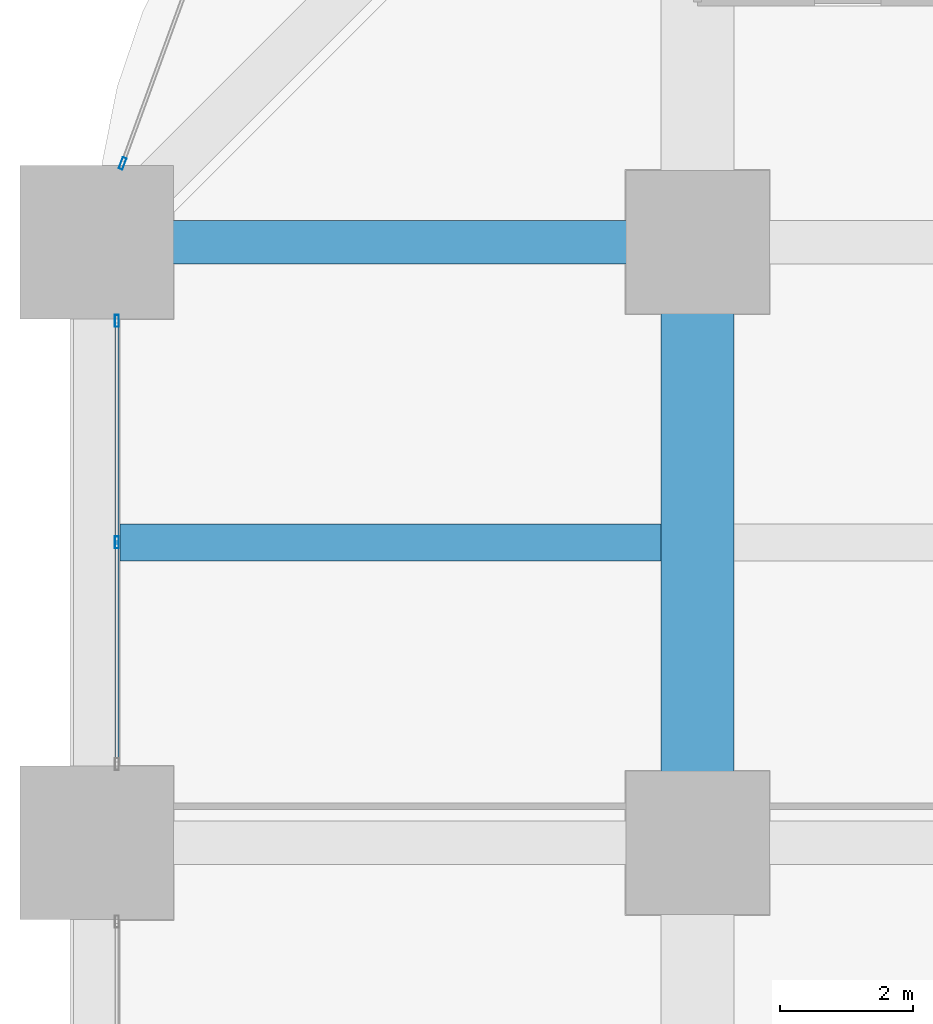
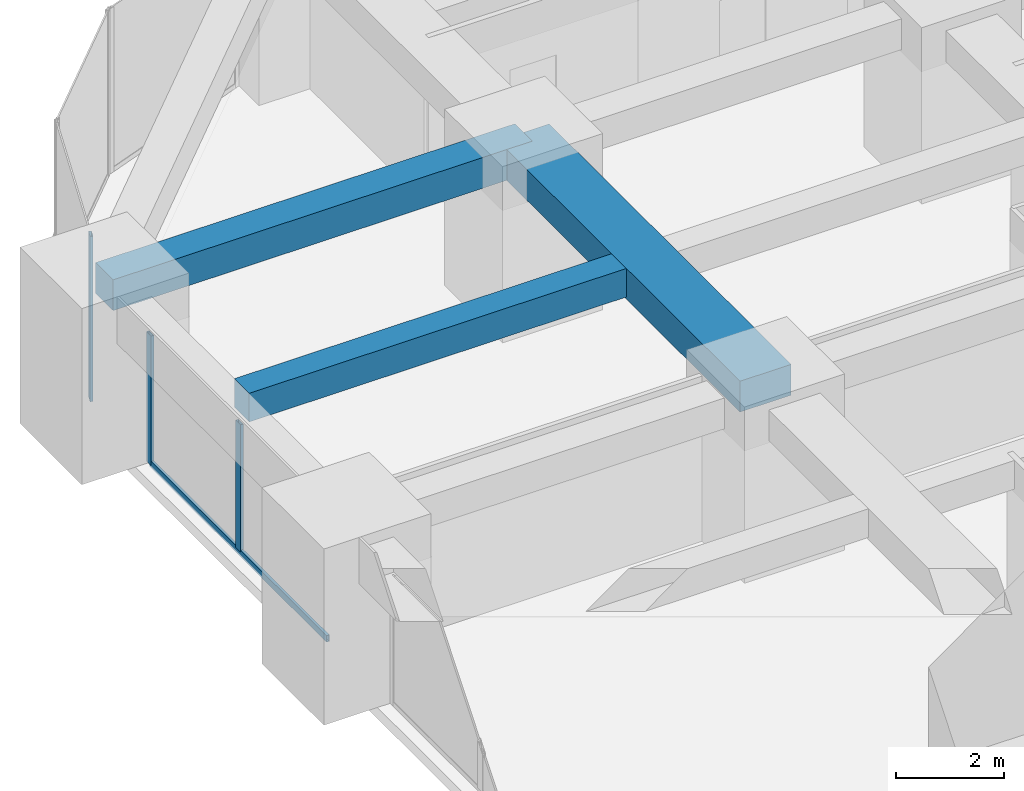
# One storey, part 25 of 44: 4 members, 3 beams, 2 elements without a shape of their own.
"""IFC4 building model written with IfcOpenShell, lengths in metres."""

import ifcopenshell
import ifcopenshell.guid

model = None  # the IFC model being written
_history = None  # IfcOwnerHistory: only IFC2X3 demands one
_inside = {}  # id of a spatial element -> (the spatial element, [elements in it])
_under = {}  # id of a project, library or spatial element -> (it, [spatial elements below it])
_declared = {}  # id of a project -> (the project, [libraries it declares])
_typed = {}  # id of a type object -> (the type object, [elements of that type])
_made_of = {}  # id of a material, layer set ... -> (it, [elements and type objects made of it])


def new_model(schema):
    """Start an empty IFC model of exactly this schema.

    Asked for "IFC4X3", IfcOpenShell would pick the latest addendum, in which some entities
    have other attributes; the version numbers below select the first issue.
    IFC2X3 requires an IfcOwnerHistory on every rooted entity: one is made here for all.
    """
    global model, _history
    if schema == "IFC4X3":
        model = ifcopenshell.file(schema_version=(4, 3, 0, 0))
    else:
        model = ifcopenshell.file(schema=schema)
    _inside.clear()
    _under.clear()
    _declared.clear()
    _typed.clear()
    _made_of.clear()
    _history = None
    if model.schema == "IFC2X3":
        org = make("IfcOrganization", Name="unknown")
        user = make(
            "IfcPersonAndOrganization",
            ThePerson=make("IfcPerson", FamilyName="unknown"),
            TheOrganization=org,
        )
        app = make(
            "IfcApplication",
            ApplicationDeveloper=org,
            Version="unknown",
            ApplicationFullName="unknown",
            ApplicationIdentifier="unknown",
        )
        _history = make(
            "IfcOwnerHistory",
            OwningUser=user,
            OwningApplication=app,
            ChangeAction="ADDED",
            CreationDate=0,
        )
    return model


def make(cls, **values):
    """One entity of the class cls with the attributes given. An attribute that is None is left unset."""
    return model.create_entity(
        cls, **{name: value for name, value in values.items() if value is not None}
    )


def rooted(cls, **values):
    """An entity with a GlobalId (a new one), such as an element, a storey or a relation."""
    return make(cls, GlobalId=ifcopenshell.guid.new(), OwnerHistory=_history, **values)


def si_unit(unit_type, name, prefix=None):
    """IfcSIUnit, for example si_unit("LENGTHUNIT", "METRE", prefix="MILLI")."""
    return make("IfcSIUnit", UnitType=unit_type, Prefix=prefix, Name=name)


def assignment(units):
    """IfcUnitAssignment: the units of a project."""
    return None if units is None else make("IfcUnitAssignment", Units=units)


def point(xyz):
    """IfcCartesianPoint."""
    return None if xyz is None else make("IfcCartesianPoint", Coordinates=xyz)


def direction(xyz):
    """IfcDirection."""
    return None if xyz is None else make("IfcDirection", DirectionRatios=xyz)


def frame(location, z_axis=None, x_axis=None):
    """IfcAxis2Placement3D, a coordinate frame: its origin and axes. An axis left out is left unset."""
    return make(
        "IfcAxis2Placement3D",
        Location=point(location),
        Axis=direction(z_axis),
        RefDirection=direction(x_axis),
    )


def frame_2d(location, x_axis=None):
    """IfcAxis2Placement2D, a coordinate frame in the plane: its origin and x axis."""
    return make(
        "IfcAxis2Placement2D", Location=point(location), RefDirection=direction(x_axis)
    )


def origin():
    """The frame at (0, 0, 0) with its axes left unset."""
    return frame((0.0, 0.0, 0.0))


def origin_2d():
    """The frame at (0, 0) in the plane with its x axis left unset."""
    return frame_2d((0.0, 0.0))


def place(relative_to, where):
    """IfcLocalPlacement: puts the frame where relative to a parent placement (None: the world)."""
    return make(
        "IfcLocalPlacement", PlacementRelTo=relative_to, RelativePlacement=where
    )


def context(
    kind, dimensions, precision=None, world=None, true_north=None, identifier=None
):
    """IfcGeometricRepresentationContext, for example the 3D "Model" context."""
    return make(
        "IfcGeometricRepresentationContext",
        ContextIdentifier=identifier,
        ContextType=kind,
        CoordinateSpaceDimension=dimensions,
        Precision=precision,
        WorldCoordinateSystem=world,
        TrueNorth=true_north,
    )


def subcontext(parent, identifier, kind, view, scale=None):
    """IfcGeometricRepresentationSubContext, for example "Body" below "Model"."""
    return make(
        "IfcGeometricRepresentationSubContext",
        ContextIdentifier=identifier,
        ContextType=kind,
        ParentContext=parent,
        TargetScale=scale,
        TargetView=view,
    )


def project(units=None, contexts=None):
    """IfcProject with its units and contexts."""
    return rooted(
        "IfcProject",
        Name="project",
        RepresentationContexts=contexts,
        UnitsInContext=assignment(units),
    )


def spatial(cls, under=None, at=None, **own):
    """A site, building, storey or space (cls), placed at a placement, below another one or the project."""
    s = rooted(cls, ObjectPlacement=at, **own)
    if under is not None:
        _under.setdefault(under.id(), (under, []))[1].append(s)
    return s


def profile(cls, at=None, kind="AREA", **sizes):
    """A parametric profile (cls). Its sizes go by their IFC names, for example OverallWidth=200.0."""
    return make(cls, ProfileType=kind, Position=at, **sizes)


def rectangle(**sizes):
    """IfcRectangleProfileDef."""
    return profile("IfcRectangleProfileDef", **sizes)


def hollow_rectangle(**sizes):
    """IfcRectangleHollowProfileDef."""
    return profile("IfcRectangleHollowProfileDef", **sizes)


def extrude(swept, where, along, depth):
    """IfcExtrudedAreaSolid: the profile swept, set in the frame where, extruded along a direction by depth."""
    return make(
        "IfcExtrudedAreaSolid",
        SweptArea=swept,
        Position=where,
        ExtrudedDirection=direction(along),
        Depth=depth,
    )


def shape(context_of_items, identifier, shape_type, items):
    """IfcShapeRepresentation: the items that make up one representation, for example the "Body"."""
    return make(
        "IfcShapeRepresentation",
        ContextOfItems=context_of_items,
        RepresentationIdentifier=identifier,
        RepresentationType=shape_type,
        Items=items,
    )


def material(Name=None, Category=None):
    """IfcMaterial."""
    return make("IfcMaterial", Name=Name, Category=Category)


def material_profile(
    of_material, cross_section, Name=None, Category=None, Priority=None
):
    """IfcMaterialProfile: a cross section and its material."""
    return make(
        "IfcMaterialProfile",
        Name=Name,
        Material=of_material,
        Profile=cross_section,
        Priority=Priority,
        Category=Category,
    )


def profile_set(profiles, Name=None, composite=None):
    """IfcMaterialProfileSet."""
    return make(
        "IfcMaterialProfileSet",
        Name=Name,
        MaterialProfiles=profiles,
        CompositeProfile=composite,
    )


def made_of(thing, what):
    """Note that an element or type object is made of a material, layer set ...; save() writes the relation."""
    if what is not None:
        _made_of.setdefault(what.id(), (what, []))[1].append(thing)
    return thing


def type_object(cls, material=None, **own):
    """A type object (cls), such as IfcWallType, which elements share."""
    return made_of(rooted(cls, **own), material)


def element(
    cls,
    number,
    at=None,
    inside=None,
    cuts=None,
    type_object=None,
    material=None,
    context=None,
    identifier="Body",
    shape_type=None,
    held_by="IfcProductDefinitionShape",
    body=None,
    shapes=None,
    **own,
):
    """One element of the class cls, such as IfcWall. Its Tag is "e" and its number.

    at: its placement. inside: the storey or other place that contains it. cuts: it is an
    opening in that element (IfcRelVoidsElement). A single representation is given by context,
    identifier, shape_type and body (its items); several are given by shapes. held_by: the class
    of the entity that holds the representations. save() writes the other relations.
    """
    e = rooted(cls, Tag="e%d" % number, ObjectPlacement=at, **own)
    if body is not None:
        shapes = [shape(context, identifier, shape_type, body)]
    if shapes is not None:
        e.Representation = make(held_by, Representations=shapes)
    if inside is not None:
        _inside.setdefault(inside.id(), (inside, []))[1].append(e)
    if cuts is not None:
        rooted(
            "IfcRelVoidsElement", RelatingBuildingElement=cuts, RelatedOpeningElement=e
        )
    if type_object is not None:
        _typed.setdefault(type_object.id(), (type_object, []))[1].append(e)
    return made_of(e, material)


def aggregate(whole, parts):
    """IfcRelAggregates: a whole, such as a stair, and the parts it consists of."""
    return rooted("IfcRelAggregates", RelatingObject=whole, RelatedObjects=parts)


def save(model, path):
    """Write the relations noted so far, then the file.

    IfcRelAggregates (storeys below a building ...), IfcRelContainedInSpatialStructure (elements
    in a storey), IfcRelDefinesByType, IfcRelAssociatesMaterial and IfcRelDeclares: one each for
    every whole, place, type object, material and project.
    """
    for whole, parts in _under.values():
        aggregate(whole, parts)
    for where, things in _inside.values():
        rooted(
            "IfcRelContainedInSpatialStructure",
            RelatedElements=things,
            RelatingStructure=where,
        )
    for kind, things in _typed.values():
        rooted("IfcRelDefinesByType", RelatedObjects=things, RelatingType=kind)
    for what, things in _made_of.values():
        rooted("IfcRelAssociatesMaterial", RelatedObjects=things, RelatingMaterial=what)
    for by, libraries in _declared.values():
        rooted("IfcRelDeclares", RelatingContext=by, RelatedDefinitions=libraries)
    model.write(path)


model = new_model("IFC4")

# Units and contexts
model_context = context("Model", 3, precision=1e-05, world=origin(), true_north=direction((0.0, 1.0)))
body_context = subcontext(model_context, "Body", "Model", "MODEL_VIEW")
ifc_project = project(units=[si_unit("LENGTHUNIT", "METRE"), si_unit("AREAUNIT", "SQUARE_METRE"), si_unit("VOLUMEUNIT", "CUBIC_METRE"), si_unit("PLANEANGLEUNIT", "RADIAN"), si_unit("MASSUNIT", "GRAM", prefix="KILO")], contexts=[model_context])

# Site, building, storey
site_placement = place(None, origin())
site = spatial("IfcSite", under=ifc_project, at=site_placement, CompositionType="ELEMENT")
building_placement = place(site_placement, origin())
building = spatial("IfcBuilding", under=site, at=building_placement, Name="Zorevar Civic Tower", CompositionType="ELEMENT")
storey_placement = place(building_placement, frame((0.0, 0.0, 51.800048828125)))
storey = spatial("IfcBuildingStorey", under=building, at=storey_placement, Name="L12", CompositionType="ELEMENT", Elevation=51.800048828125)

# Beams
ifc_material_1 = material(Name="Concrete C50/60", Category="concrete")
ifc_material_profile_1 = material_profile(ifc_material_1, rectangle(XDim=1.10009765625, YDim=0.699951171875, at=origin_2d()), Name="RC 1100x700")
ifc_profile_set_1 = profile_set([ifc_material_profile_1], Name="Concrete C50/60")
beam_type_1 = type_object("IfcBeamType", Name="Beam RC 1100x700", PredefinedType="BEAM", material=ifc_profile_set_1)
beam_1_placement = place(storey_placement, frame((9.0, 36.0, 3.39990234375), z_axis=(0.0, 1.0, 0.0), x_axis=(-1.0, 0.0, 0.0)))
element("IfcBeam", 1, at=beam_1_placement, inside=storey, type_object=beam_type_1, Name="Girder L13", PredefinedType="BEAM", context=body_context, shape_type="SweptSolid", body=[
    extrude(rectangle(XDim=1.10009765625, YDim=0.699951171875, at=origin_2d()), origin(), (0.0, 0.0, 1.0), 9.0),
])
ifc_material_2 = material(Name="Concrete C50/60", Category="concrete")
ifc_material_profile_2 = material_profile(ifc_material_2, rectangle(XDim=0.550048828125, YDim=0.64990234375, at=origin_2d()), Name="RC 550x650")
ifc_profile_set_2 = profile_set([ifc_material_profile_2], Name="Concrete C50/60")
beam_type_2 = type_object("IfcBeamType", Name="Beam RC 550x650", PredefinedType="BEAM", material=ifc_profile_set_2)
beam_2_placement = place(storey_placement, frame((0.35009765625, 40.5, 3.425048828125), z_axis=(1.0, 0.0, 0.0), x_axis=(0.0, 1.0, 0.0)))
element("IfcBeam", 2, at=beam_2_placement, inside=storey, type_object=beam_type_2, Name="Secondary beam L13", PredefinedType="BEAM", context=body_context, shape_type="SweptSolid", body=[
    extrude(rectangle(XDim=0.550048828125, YDim=0.64990234375, at=origin_2d()), origin(), (0.0, 0.0, 1.0), 8.099853515625),
])
ifc_material_3 = material(Name="Concrete C50/60", Category="concrete")
ifc_material_profile_3 = material_profile(ifc_material_3, rectangle(XDim=0.64990234375, YDim=0.699951171875, at=origin_2d()), Name="RC 650x700")
ifc_profile_set_3 = profile_set([ifc_material_profile_3], Name="Concrete C50/60")
beam_type_3 = type_object("IfcBeamType", Name="Beam RC 650x700", PredefinedType="BEAM", material=ifc_profile_set_3)
beam_3_placement = place(storey_placement, frame((0.0, 45.0, 3.39990234375), z_axis=(1.0, 0.0, 0.0), x_axis=(0.0, 1.0, 0.0)))
element("IfcBeam", 3, at=beam_3_placement, inside=storey, type_object=beam_type_3, Name="Girder L13", PredefinedType="BEAM", context=body_context, shape_type="SweptSolid", body=[
    extrude(rectangle(XDim=0.64990234375, YDim=0.699951171875, at=origin_2d()), origin(), (0.0, 0.0, 1.0), 9.0),
])

# Curtain wall, members
ifc_material_4 = material(Name="Dark grey solar-control glass in black aluminium frame", Category="aluminium")
curtain_wall_type = type_object("IfcCurtainWallType", Name="Curtain wall CW2 low zone", PredefinedType="NOTDEFINED", material=ifc_material_4)
curtain_wall_1_placement = place(storey_placement, origin())
curtain_wall_1 = element("IfcCurtainWall", 4, at=curtain_wall_1_placement, inside=storey, type_object=curtain_wall_type, Name="CW2 L12", PredefinedType="NOTDEFINED")
ifc_material_5 = material(Name="Aluminium, black anodised", Category="aluminium")
ifc_material_profile_4 = material_profile(ifc_material_5, hollow_rectangle(XDim=0.06005859375, YDim=0.179931640625, WallThickness=0.00390625, at=origin_2d()), Name="AL 180x60x4")
ifc_profile_set_4 = profile_set([ifc_material_profile_4], Name="Aluminium, black anodised")
member_type_1 = type_object("IfcMemberType", Name="CW2 mullion AL 180x60x4", PredefinedType="MULLION", material=ifc_profile_set_4)
member_1_placement = place(storey_placement, frame((0.300048828125, 40.5, 0.06005859375), z_axis=(0.0, 0.0, 1.0), x_axis=(-1.0, 0.0, 0.0)))
member_1 = element("IfcMember", 5, at=member_1_placement, type_object=member_type_1, Name="CW2 mullion 2", PredefinedType="MULLION", context=body_context, shape_type="SweptSolid", body=[
    extrude(hollow_rectangle(XDim=0.06005859375, YDim=0.179931640625, WallThickness=0.00390625, at=origin_2d()), origin(), (0.0, 0.0, 1.0), 2.889892578125),
])
member_2_placement = place(storey_placement, frame((0.300048828125, 43.820068359375, 0.0), z_axis=(0.0, 0.0, 1.0), x_axis=(-1.0, 0.0, 0.0)))
member_2 = element("IfcMember", 6, at=member_2_placement, type_object=member_type_1, Name="CW2 mullion 3", PredefinedType="MULLION", context=body_context, shape_type="SweptSolid", body=[
    extrude(hollow_rectangle(XDim=0.06005859375, YDim=0.179931640625, WallThickness=0.00390625, at=origin_2d()), origin(), (0.0, 0.0, 1.0), 2.949951171875),
])

# Curtain wall, member
curtain_wall_2_placement = place(storey_placement, origin())
curtain_wall_2 = element("IfcCurtainWall", 7, at=curtain_wall_2_placement, inside=storey, type_object=curtain_wall_type, Name="CW2 L12", PredefinedType="NOTDEFINED")
member_3_placement = place(storey_placement, frame((0.38671875, 46.17822265625, 0.0), z_axis=(0.0, 0.0, 1.0), x_axis=(0.939313345732, -0.343060400701, 0.0)))
member_3 = element("IfcMember", 8, at=member_3_placement, type_object=member_type_1, Name="CW2 mullion 2", PredefinedType="MULLION", context=body_context, shape_type="SweptSolid", body=[
    extrude(hollow_rectangle(XDim=0.06005859375, YDim=0.179931640625, WallThickness=0.00390625, at=origin_2d()), origin(), (0.0, 0.0, 1.0), 3.75),
])
aggregate(curtain_wall_2, [member_3])

# Member
ifc_material_6 = material(Name="Aluminium, black anodised", Category="aluminium")
ifc_material_profile_5 = material_profile(ifc_material_6, hollow_rectangle(XDim=0.06005859375, YDim=0.14990234375, WallThickness=0.00390625, at=origin_2d()), Name="AL 150x60x4")
ifc_profile_set_5 = profile_set([ifc_material_profile_5], Name="Aluminium, black anodised")
member_type_2 = type_object("IfcMemberType", Name="CW2 transom AL 150x60x4", PredefinedType="USERDEFINED", material=ifc_profile_set_5)
member_4_placement = place(storey_placement, frame((0.300048828125, 37.2099609375, 0.030029296875), z_axis=(0.0, 1.0, 0.0), x_axis=(-1.0, 0.0, 0.0)))
member_4 = element("IfcMember", 9, at=member_4_placement, type_object=member_type_2, Name="CW2 sill transom", ObjectType="TRANSOM", PredefinedType="USERDEFINED", context=body_context, shape_type="SweptSolid", body=[
    extrude(hollow_rectangle(XDim=0.06005859375, YDim=0.14990234375, WallThickness=0.00390625, at=origin_2d()), origin(), (0.0, 0.0, 1.0), 6.580078125),
])

aggregate(curtain_wall_1, [member_1, member_2, member_4])

save(model, "model.ifc")
